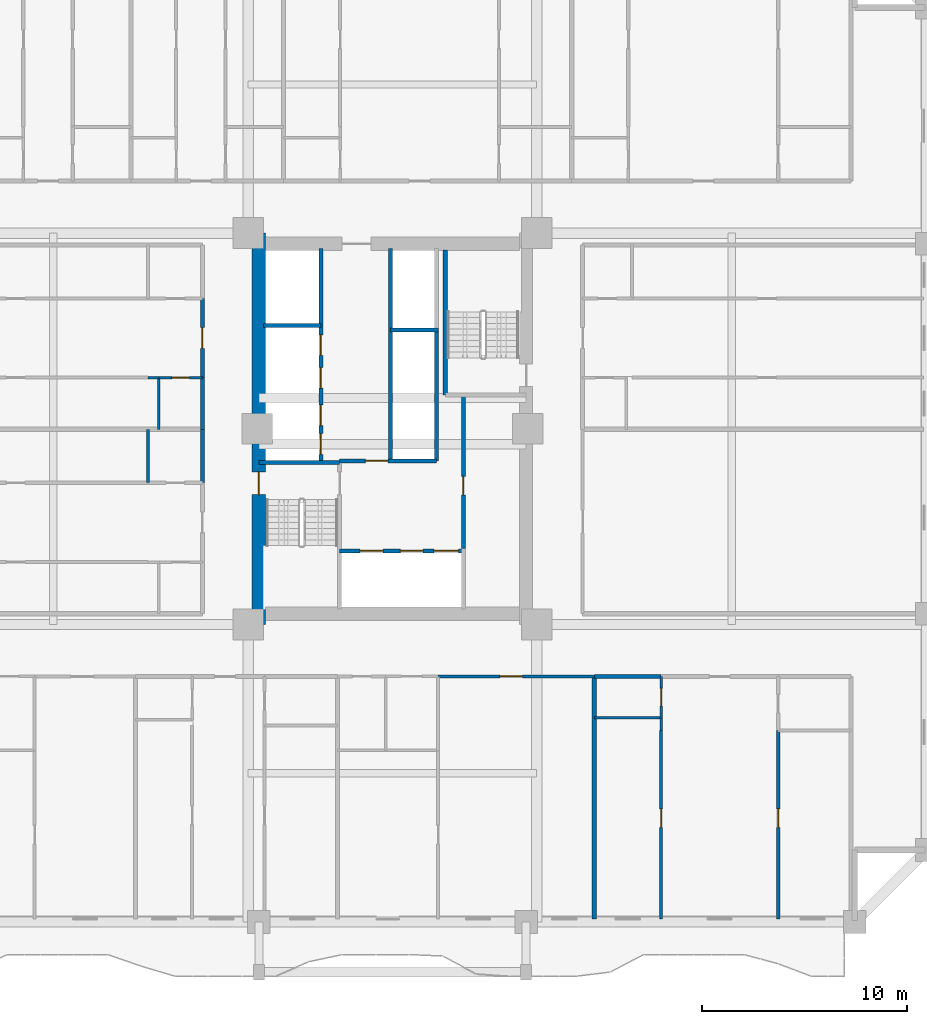
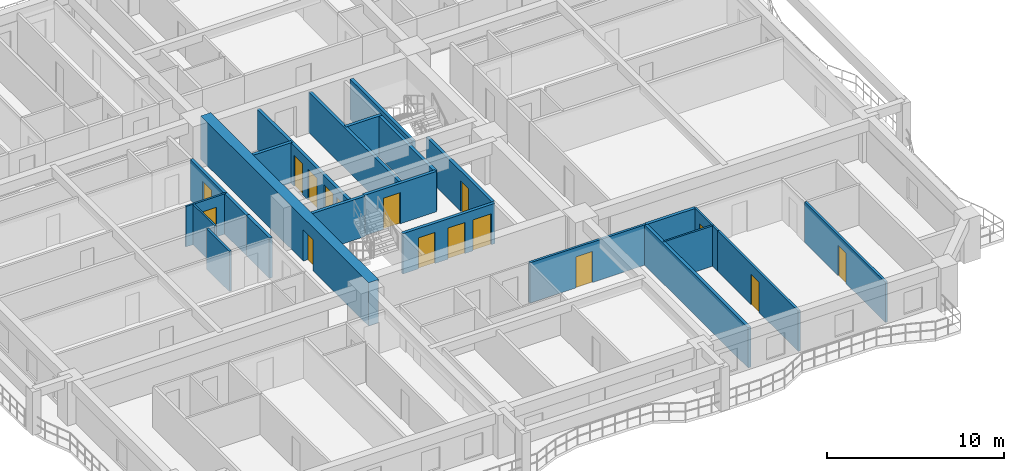
# One storey, part 4 of 15: 26 walls, 16 doors, 16 openings.
"""IFC4 building model written with IfcOpenShell, lengths in metres."""

from ifc_helpers import new_model, si_unit, direction, frame, frame_2d, origin, place, context, subcontext, project, spatial, rectangle, extrude, source, transform, mapped, material, layer, layer_set, type_object, element, fill, save


model = new_model("IFC4")

# Units and contexts
model_context = context("Model", 3, precision=1e-05, world=origin(), true_north=direction((0.0, 1.0)))
body_context = subcontext(model_context, "Body", "Model", "MODEL_VIEW")
ifc_project = project(units=[si_unit("LENGTHUNIT", "METRE"), si_unit("AREAUNIT", "SQUARE_METRE"), si_unit("VOLUMEUNIT", "CUBIC_METRE"), si_unit("PLANEANGLEUNIT", "RADIAN"), si_unit("MASSUNIT", "GRAM", prefix="KILO")], contexts=[model_context])

# Site, building, storey
site_placement = place(None, origin())
site = spatial("IfcSite", under=ifc_project, at=site_placement, CompositionType="ELEMENT")
building_placement = place(site_placement, origin())
building = spatial("IfcBuilding", under=site, at=building_placement, Name="Saelheon Loggia Tower", CompositionType="ELEMENT")
storey_placement = place(building_placement, frame((0.0, 0.0, 49.39990234375)))
storey = spatial("IfcBuildingStorey", under=building, at=storey_placement, Name="L15", CompositionType="ELEMENT", Elevation=49.39990234375)

# Wall, opening, door
ifc_material_1 = material(Name="Concrete C60/75", Category="concrete")
ifc_layer_1 = layer(ifc_material_1, 0.64990234375)
ifc_layer_set_1 = layer_set([ifc_layer_1], Name="Concrete C60/75")
wall_type_1 = type_object("IfcWallType", Name="Wall_CoreShear_650", PredefinedType="SHEAR", material=ifc_layer_set_1)
wall_1_placement = place(storey_placement, frame((31.5, 17.47998046875, 0.0), z_axis=(0.0, 0.0, 1.0), x_axis=(0.0, 1.0, 0.0)))
wall_1 = element("IfcWall", 1, at=wall_1_placement, inside=storey, type_object=wall_type_1, Name="L15 Core Shear Wall West", PredefinedType="SHEAR", context=body_context, shape_type="SweptSolid", body=[
    extrude(rectangle(XDim=19.0400390625, YDim=0.64990234375, at=frame_2d((9.52001953125, 0.0))), origin(), (0.0, 0.0, 1.0), 3.0),
])
opening_1_placement = place(wall_1_placement, frame((6.320068359375, 0.0, 0.0)))
opening_1 = element("IfcOpeningElement", 2, at=opening_1_placement, cuts=wall_1, Name="Opening D-FD2", PredefinedType="OPENING", context=body_context, shape_type="SweptSolid", body=[
    extrude(rectangle(XDim=1.10009765625, YDim=2.14990234375, at=frame_2d((0.550048828125, 1.074951171875))), frame((0.0, 0.3369140625, 0.0), z_axis=(0.0, -1.0, 0.0), x_axis=(1.0, 0.0, 0.0)), (0.0, 0.0, 1.0), 0.673828125),
])
ifc_material_2 = material(Name="Galvanised Steel Fire Door", Category="steel")
door_type_1 = type_object("IfcDoorType", Name="Door_Fire_FD60_1100", OperationType="NOTDEFINED", PredefinedType="DOOR", material=ifc_material_2)
shared_shape_1 = source(origin(), body_context, "Body", "SweptSolid", [
    extrude(rectangle(XDim=1.10009765625, YDim=2.14990234375, at=frame_2d((0.550048828125, 1.074951171875))), frame((0.0, 0.02490234375, 0.0), z_axis=(0.0, -1.0, 0.0), x_axis=(1.0, 0.0, 0.0)), (0.0, 0.0, 1.0), 0.050048828125),
])
door_1_placement = place(opening_1_placement, origin())
door_1 = element("IfcDoor", 3, at=door_1_placement, inside=storey, type_object=door_type_1, Name="L15 Stair ST1 Corridor Door", OperationType="SINGLE_SWING_LEFT", OverallHeight=2.14990234375, OverallWidth=1.10009765625, PredefinedType="DOOR", context=body_context, shape_type="MappedRepresentation", body=[
    mapped(shared_shape_1, transform((0.0, 0.0, 0.0), scale=1.0)),
])
fill(opening_1, door_1)

ifc_material_3 = material(Name="Lightweight Autoclaved Aerated Concrete Block and Acoustic Gypsum", Category="concrete")
ifc_layer_2 = layer(ifc_material_3, 0.14990234375)
ifc_layer_set_2 = layer_set([ifc_layer_2], Name="Lightweight Autoclaved Aerated Concrete Block and Acoustic Gypsum")
wall_type_2 = type_object("IfcWallType", Name="Wall_Part_150", PredefinedType="PARTITIONING", material=ifc_layer_set_2)
wall_2_placement = place(storey_placement, frame((40.2216796875, 14.949951171875, 0.0), z_axis=(0.0, 0.0, 1.0), x_axis=(1.0, 0.0, 0.0)))
wall_2 = element("IfcWall", 4, at=wall_2_placement, inside=storey, type_object=wall_type_2, Name="L15 S Partition V27", PredefinedType="PARTITIONING", context=body_context, shape_type="SweptSolid", body=[
    extrude(rectangle(XDim=7.59912109375, YDim=0.14990234375, at=frame_2d((3.799560546875, 0.0))), origin(), (0.0, 0.0, 1.0), 2.7900390625),
])
opening_2_placement = place(wall_2_placement, frame((3.00048828125, 0.0, 0.0)))
opening_2 = element("IfcOpeningElement", 5, at=opening_2_placement, cuts=wall_2, Name="Opening D-FD2", PredefinedType="OPENING", context=body_context, shape_type="SweptSolid", body=[
    extrude(rectangle(XDim=1.10009765625, YDim=2.14990234375, at=frame_2d((0.550048828125, 1.074951171875))), frame((0.0, 0.0869140625, 0.0), z_axis=(0.0, -1.0, 0.0), x_axis=(1.0, 0.0, 0.0)), (0.0, 0.0, 1.0), 0.173828125),
])
door_2_placement = place(opening_2_placement, origin())
door_2 = element("IfcDoor", 6, at=door_2_placement, inside=storey, type_object=door_type_1, Name="L15 Community Reading Library Door A", OperationType="SINGLE_SWING_LEFT", OverallHeight=2.14990234375, OverallWidth=1.10009765625, PredefinedType="DOOR", context=body_context, shape_type="MappedRepresentation", body=[
    mapped(shared_shape_1, transform((0.0, 0.0, 0.0), scale=1.0)),
])
fill(opening_2, door_2)

wall_3_placement = place(storey_placement, frame((51.070556640625, 12.31005859375, 0.0), z_axis=(0.0, 0.0, 1.0), x_axis=(0.0, -1.0, 0.0)))
wall_3 = element("IfcWall", 7, at=wall_3_placement, inside=storey, type_object=wall_type_2, Name="L15 S Partition U36", PredefinedType="PARTITIONING", context=body_context, shape_type="SweptSolid", body=[
    extrude(rectangle(XDim=9.16015625, YDim=0.14990234375, at=frame_2d((4.580078125, 0.0))), origin(), (0.0, 0.0, 1.0), 2.7900390625),
])
opening_3_placement = place(wall_3_placement, frame((3.805908203125, 0.0, 0.0)))
opening_3 = element("IfcOpeningElement", 8, at=opening_3_placement, cuts=wall_3, Name="Opening D-IN2", PredefinedType="OPENING", context=body_context, shape_type="SweptSolid", body=[
    extrude(rectangle(XDim=0.89990234375, YDim=2.10009765625, at=frame_2d((0.449951171875, 1.050048828125))), frame((0.0, 0.0869140625, 0.0), z_axis=(0.0, -1.0, 0.0), x_axis=(1.0, 0.0, 0.0)), (0.0, 0.0, 1.0), 0.173828125),
])
ifc_material_4 = material(Name="Engineered Oak Flush Door", Category="timber")
door_type_2 = type_object("IfcDoorType", Name="Door_Int_900", OperationType="NOTDEFINED", PredefinedType="DOOR", material=ifc_material_4)
shared_shape_2 = source(origin(), body_context, "Body", "SweptSolid", [
    extrude(rectangle(XDim=0.89990234375, YDim=2.10009765625, at=frame_2d((0.449951171875, 1.050048828125))), frame((0.0, 0.02490234375, 0.0), z_axis=(0.0, -1.0, 0.0), x_axis=(1.0, 0.0, 0.0)), (0.0, 0.0, 1.0), 0.050048828125),
])
door_3_placement = place(opening_3_placement, origin())
door_3 = element("IfcDoor", 9, at=door_3_placement, inside=storey, type_object=door_type_2, Name="Unit U02 Bedroom 2 Door", OperationType="SINGLE_SWING_RIGHT", OverallHeight=2.10009765625, OverallWidth=0.89990234375, PredefinedType="DOOR", context=body_context, shape_type="MappedRepresentation", body=[
    mapped(shared_shape_2, transform((0.0, 0.0, 0.0), scale=1.0)),
])
fill(opening_3, door_3)

wall_4_placement = place(storey_placement, frame((56.77197265625, 12.31005859375, 0.0), z_axis=(0.0, 0.0, 1.0), x_axis=(0.0, -1.0, 0.0)))
wall_4 = element("IfcWall", 10, at=wall_4_placement, inside=storey, type_object=wall_type_2, Name="L15 S Partition U38", PredefinedType="PARTITIONING", context=body_context, shape_type="SweptSolid", body=[
    extrude(rectangle(XDim=9.16015625, YDim=0.14990234375, at=frame_2d((4.580078125, 0.0))), origin(), (0.0, 0.0, 1.0), 2.7900390625),
])
opening_4_placement = place(wall_4_placement, frame((3.805908203125, 0.0, 0.0)))
opening_4 = element("IfcOpeningElement", 11, at=opening_4_placement, cuts=wall_4, Name="Opening D-IN2", PredefinedType="OPENING", context=body_context, shape_type="SweptSolid", body=[
    extrude(rectangle(XDim=0.89990234375, YDim=2.10009765625, at=frame_2d((0.449951171875, 1.050048828125))), frame((0.0, 0.0869140625, 0.0), z_axis=(0.0, -1.0, 0.0), x_axis=(1.0, 0.0, 0.0)), (0.0, 0.0, 1.0), 0.173828125),
])
door_4_placement = place(opening_4_placement, origin())
door_4 = element("IfcDoor", 12, at=door_4_placement, inside=storey, type_object=door_type_2, Name="Unit U02 Bedroom 1 Door", OperationType="SINGLE_SWING_RIGHT", OverallHeight=2.10009765625, OverallWidth=0.89990234375, PredefinedType="DOOR", context=body_context, shape_type="MappedRepresentation", body=[
    mapped(shared_shape_2, transform((0.0, 0.0, 0.0), scale=1.0)),
])
fill(opening_4, door_4)

# Walls
wall_5_placement = place(storey_placement, frame((26.110107421875, 24.375, 0.0), z_axis=(0.0, 0.0, 1.0), x_axis=(0.0, 1.0, 0.0)))
element("IfcWall", 13, at=wall_5_placement, inside=storey, type_object=wall_type_2, Name="L15 W Partition V07", PredefinedType="PARTITIONING", context=body_context, shape_type="SweptSolid", body=[
    extrude(rectangle(XDim=2.60009765625, YDim=0.14990234375, at=frame_2d((1.300048828125, 0.0))), origin(), (0.0, 0.0, 1.0), 2.7900390625),
])
ifc_material_5 = material(Name="Double Acoustic Stud and Fireboard Partition", Category="gypsum")
ifc_layer_3 = layer(ifc_material_5, 0.199951171875)
ifc_layer_set_3 = layer_set([ifc_layer_3], Name="Double Acoustic Stud and Fireboard Partition")
wall_type_3 = type_object("IfcWallType", Name="Wall_Party_200", PredefinedType="PARTITIONING", material=ifc_layer_set_3)
wall_6_placement = place(storey_placement, frame((47.82080078125, 14.949951171875, 0.0), z_axis=(0.0, 0.0, 1.0), x_axis=(0.0, -1.0, 0.0)))
element("IfcWall", 14, at=wall_6_placement, inside=storey, type_object=wall_type_3, Name="L15 S Partition U28", PredefinedType="PARTITIONING", context=body_context, shape_type="SweptSolid", body=[
    extrude(rectangle(XDim=11.800048828125, YDim=0.199951171875, at=frame_2d((5.89990234375, 0.0))), origin(), (0.0, 0.0, 1.0), 2.7900390625),
])
wall_7_placement = place(storey_placement, frame((47.82080078125, 14.949951171875, 0.0), z_axis=(0.0, 0.0, 1.0), x_axis=(1.0, 0.0, 0.0)))
element("IfcWall", 15, at=wall_7_placement, inside=storey, type_object=wall_type_3, Name="L15 S Partition V29", PredefinedType="PARTITIONING", context=body_context, shape_type="SweptSolid", body=[
    extrude(rectangle(XDim=3.249755859375, YDim=0.199951171875, at=frame_2d((1.625, 0.0))), origin(), (0.0, 0.0, 1.0), 2.7900390625),
])
wall_8_placement = place(storey_placement, frame((28.75, 24.375, 0.0), z_axis=(0.0, 0.0, 1.0), x_axis=(0.0, 1.0, 0.0)))
element("IfcWall", 16, at=wall_8_placement, inside=storey, type_object=wall_type_3, Name="L15 W Partition V05", PredefinedType="PARTITIONING", context=body_context, shape_type="SweptSolid", body=[
    extrude(rectangle(XDim=2.60009765625, YDim=0.199951171875, at=frame_2d((1.300048828125, 0.0))), origin(), (0.0, 0.0, 1.0), 2.7900390625),
])
wall_9_placement = place(storey_placement, frame((28.75, 26.97509765625, 0.0), z_axis=(0.0, 0.0, 1.0), x_axis=(0.0, 1.0, 0.0)))
element("IfcWall", 17, at=wall_9_placement, inside=storey, type_object=wall_type_3, Name="L15 W Partition V14", PredefinedType="PARTITIONING", context=body_context, shape_type="SweptSolid", body=[
    extrude(rectangle(XDim=2.512939453125, YDim=0.199951171875, at=frame_2d((1.25634765625, 0.0))), origin(), (0.0, 0.0, 1.0), 2.7900390625),
])

# Wall, opening, door
wall_10_placement = place(storey_placement, frame((28.75, 29.488037109375, 0.0), z_axis=(0.0, 0.0, 1.0), x_axis=(0.0, 1.0, 0.0)))
wall_10 = element("IfcWall", 18, at=wall_10_placement, inside=storey, type_object=wall_type_3, Name="L15 W Partition V15", PredefinedType="PARTITIONING", context=body_context, shape_type="SweptSolid", body=[
    extrude(rectangle(XDim=3.862060546875, YDim=0.199951171875, at=frame_2d((1.93115234375, 0.0))), origin(), (0.0, 0.0, 1.0), 2.7900390625),
])
opening_5_placement = place(wall_10_placement, frame((1.430908203125, 0.0, 0.0)))
opening_5 = element("IfcOpeningElement", 19, at=opening_5_placement, cuts=wall_10, Name="Opening D-FD1", PredefinedType="OPENING", context=body_context, shape_type="SweptSolid", body=[
    extrude(rectangle(XDim=1.0, YDim=2.14990234375, at=frame_2d((0.5, 1.074951171875))), frame((0.0, 0.112060546875, 0.0), z_axis=(0.0, -1.0, 0.0), x_axis=(1.0, 0.0, 0.0)), (0.0, 0.0, 1.0), 0.223876953125),
])
ifc_material_6 = material(Name="Fire-Rated Engineered Timber Entrance Door", Category="wood")
door_type_3 = type_object("IfcDoorType", Name="Door_Flat_FD30S", OperationType="NOTDEFINED", PredefinedType="DOOR", material=ifc_material_6)
shared_shape_3 = source(origin(), body_context, "Body", "SweptSolid", [
    extrude(rectangle(XDim=1.0, YDim=2.14990234375, at=frame_2d((0.5, 1.074951171875))), frame((0.0, 0.02490234375, 0.0), z_axis=(0.0, -1.0, 0.0), x_axis=(1.0, 0.0, 0.0)), (0.0, 0.0, 1.0), 0.050048828125),
])
door_5_placement = place(opening_5_placement, origin())
door_5 = element("IfcDoor", 20, at=door_5_placement, inside=storey, type_object=door_type_3, Name="Unit U08 Entrance Door", OperationType="SINGLE_SWING_LEFT", OverallHeight=2.14990234375, OverallWidth=1.0, PredefinedType="DOOR", context=body_context, shape_type="MappedRepresentation", body=[
    mapped(shared_shape_3, transform((0.0, 0.0, 0.0), scale=1.0)),
])
fill(opening_5, door_5)

ifc_material_7 = material(Name="Concrete C40/50", Category="concrete")
ifc_layer_4 = layer(ifc_material_7, 0.199951171875)
ifc_layer_set_4 = layer_set([ifc_layer_4], Name="Concrete C40/50")
wall_type_4 = type_object("IfcWallType", Name="Wall_Shaft_200", PredefinedType="PARTITIONING", material=ifc_layer_set_4)
wall_11_placement = place(storey_placement, frame((41.449951171875, 21.179931640625, 0.0), z_axis=(0.0, 0.0, 1.0), x_axis=(0.0, 1.0, 0.0)))
wall_11 = element("IfcWall", 21, at=wall_11_placement, inside=storey, type_object=wall_type_4, Name="CW-INT-L15-BOH-W1", PredefinedType="PARTITIONING", context=body_context, shape_type="SweptSolid", body=[
    extrude(rectangle(XDim=7.420166015625, YDim=0.199951171875, at=frame_2d((3.7099609375, 0.0))), origin(), (0.0, 0.0, 1.0), 2.7900390625),
])
opening_6_placement = place(wall_11_placement, frame((2.60009765625, 0.0, 0.0)))
opening_6 = element("IfcOpeningElement", 22, at=opening_6_placement, cuts=wall_11, Name="Opening D-RS1", PredefinedType="OPENING", context=body_context, shape_type="SweptSolid", body=[
    extrude(rectangle(XDim=0.89990234375, YDim=2.10009765625, at=frame_2d((0.449951171875, 1.050048828125))), frame((0.0, 0.112060546875, 0.0), z_axis=(0.0, -1.0, 0.0), x_axis=(1.0, 0.0, 0.0)), (0.0, 0.0, 1.0), 0.223876953125),
])
ifc_material_8 = material(Name="Galvanised Steel Riser Access Door", Category="steel")
door_type_4 = type_object("IfcDoorType", Name="Door_Riser_FD60", OperationType="NOTDEFINED", PredefinedType="DOOR", material=ifc_material_8)
door_6_placement = place(opening_6_placement, origin())
door_6 = element("IfcDoor", 23, at=door_6_placement, inside=storey, type_object=door_type_4, Name="L15 Core Service Store Door", OperationType="SINGLE_SWING_RIGHT", OverallHeight=2.10009765625, OverallWidth=0.89990234375, PredefinedType="DOOR", context=body_context, shape_type="MappedRepresentation", body=[
    mapped(shared_shape_2, transform((0.0, 0.0, 0.0), scale=1.0)),
])
fill(opening_6, door_6)

# Wall
wall_12_placement = place(storey_placement, frame((40.14990234375, 25.43994140625, 0.0), z_axis=(0.0, 0.0, 1.0), x_axis=(0.0, 1.0, 0.0)))
element("IfcWall", 24, at=wall_12_placement, inside=storey, type_object=wall_type_4, Name="L15 Core Service Passage West Wall", PredefinedType="PARTITIONING", context=body_context, shape_type="SweptSolid", body=[
    extrude(rectangle(XDim=6.360107421875, YDim=0.199951171875, at=frame_2d((3.18017578125, 0.0))), origin(), (0.0, 0.0, 1.0), 2.7900390625),
])

# Wall, openings, doors
wall_13_placement = place(storey_placement, frame((35.429931640625, 21.06005859375, 0.0), z_axis=(0.0, 0.0, 1.0), x_axis=(1.0, 0.0, 0.0)))
wall_13 = element("IfcWall", 25, at=wall_13_placement, inside=storey, type_object=wall_type_4, Name="L15 Firefighting Lift Shaft Front Wall", PredefinedType="PARTITIONING", context=body_context, shape_type="SweptSolid", body=[
    extrude(rectangle(XDim=6.02001953125, YDim=0.199951171875, at=frame_2d((3.010009765625, 0.0))), origin(), (0.0, 0.0, 1.0), 2.7900390625),
])
opening_7_placement = place(wall_13_placement, frame((1.0, 0.0, 0.0)))
opening_7 = element("IfcOpeningElement", 26, at=opening_7_placement, cuts=wall_13, Name="Opening LD2", PredefinedType="OPENING", context=body_context, shape_type="SweptSolid", body=[
    extrude(rectangle(XDim=1.10009765625, YDim=2.14990234375, at=frame_2d((0.550048828125, 1.074951171875))), frame((0.0, 0.112060546875, 0.0), z_axis=(0.0, -1.0, 0.0), x_axis=(1.0, 0.0, 0.0)), (0.0, 0.0, 1.0), 0.223876953125),
])
opening_8_placement = place(wall_13_placement, frame((2.949951171875, 0.0, 0.0)))
opening_8 = element("IfcOpeningElement", 27, at=opening_8_placement, cuts=wall_13, Name="Opening LD2", PredefinedType="OPENING", context=body_context, shape_type="SweptSolid", body=[
    extrude(rectangle(XDim=1.10009765625, YDim=2.14990234375, at=frame_2d((0.550048828125, 1.074951171875))), frame((0.0, 0.112060546875, 0.0), z_axis=(0.0, -1.0, 0.0), x_axis=(1.0, 0.0, 0.0)), (0.0, 0.0, 1.0), 0.223876953125),
])
opening_9_placement = place(wall_13_placement, frame((4.580078125, 0.0, 0.0)))
opening_9 = element("IfcOpeningElement", 28, at=opening_9_placement, cuts=wall_13, Name="Opening LD3", PredefinedType="OPENING", context=body_context, shape_type="SweptSolid", body=[
    extrude(rectangle(XDim=1.199951171875, YDim=2.14990234375, at=frame_2d((0.60009765625, 1.074951171875))), frame((0.0, 0.112060546875, 0.0), z_axis=(0.0, -1.0, 0.0), x_axis=(1.0, 0.0, 0.0)), (0.0, 0.0, 1.0), 0.223876953125),
])
ifc_material_9 = material(Name="Firefighting Stainless Steel 316 Landing Door", Category="steel")
door_type_5 = type_object("IfcDoorType", Name="Door_Lift_LD2", OperationType="DOUBLE_DOOR_SLIDING", PredefinedType="DOOR", material=ifc_material_9)
door_7_placement = place(opening_7_placement, origin())
door_7 = element("IfcDoor", 29, at=door_7_placement, inside=storey, type_object=door_type_5, Name="L15 FF1 Landing Door", OperationType="DOUBLE_DOOR_SLIDING", OverallHeight=2.14990234375, OverallWidth=1.10009765625, PredefinedType="DOOR", context=body_context, shape_type="MappedRepresentation", body=[
    mapped(shared_shape_1, transform((0.0, 0.0, 0.0), scale=1.0)),
])
fill(opening_7, door_7)
door_8_placement = place(opening_8_placement, origin())
door_8 = element("IfcDoor", 30, at=door_8_placement, inside=storey, type_object=door_type_5, Name="L15 FF2 Landing Door", OperationType="DOUBLE_DOOR_SLIDING", OverallHeight=2.14990234375, OverallWidth=1.10009765625, PredefinedType="DOOR", context=body_context, shape_type="MappedRepresentation", body=[
    mapped(shared_shape_1, transform((0.0, 0.0, 0.0), scale=1.0)),
])
fill(opening_8, door_8)
ifc_material_10 = material(Name="Stretcher Lift Stainless Steel 304 Landing Door", Category="steel")
door_type_6 = type_object("IfcDoorType", Name="Door_Lift_LD3", OperationType="DOUBLE_DOOR_SLIDING", PredefinedType="DOOR", material=ifc_material_10)
shared_shape_4 = source(origin(), body_context, "Body", "SweptSolid", [
    extrude(rectangle(XDim=1.199951171875, YDim=2.14990234375, at=frame_2d((0.60009765625, 1.074951171875))), frame((0.0, 0.02490234375, 0.0), z_axis=(0.0, -1.0, 0.0), x_axis=(1.0, 0.0, 0.0)), (0.0, 0.0, 1.0), 0.050048828125),
])
door_9_placement = place(opening_9_placement, origin())
door_9 = element("IfcDoor", 31, at=door_9_placement, inside=storey, type_object=door_type_6, Name="L15 SV1 Landing Door", OperationType="DOUBLE_DOOR_SLIDING", OverallHeight=2.14990234375, OverallWidth=1.199951171875, PredefinedType="DOOR", context=body_context, shape_type="MappedRepresentation", body=[
    mapped(shared_shape_4, transform((0.0, 0.0, 0.0), scale=1.0)),
])
fill(opening_9, door_9)

# Wall, opening, door
wall_14_placement = place(storey_placement, frame((35.429931640625, 25.43994140625, 0.0), z_axis=(0.0, 0.0, 1.0), x_axis=(1.0, 0.0, 0.0)))
wall_14 = element("IfcWall", 32, at=wall_14_placement, inside=storey, type_object=wall_type_4, Name="L15 Firefighting Lobby Compartment Wall", PredefinedType="PARTITIONING", context=body_context, shape_type="SweptSolid", body=[
    extrude(rectangle(XDim=4.719970703125, YDim=0.199951171875, at=frame_2d((2.35986328125, 0.0))), origin(), (0.0, 0.0, 1.0), 2.7900390625),
])
opening_10_placement = place(wall_14_placement, frame((1.25, 0.0, 0.0)))
opening_10 = element("IfcOpeningElement", 33, at=opening_10_placement, cuts=wall_14, Name="Opening D-FD2", PredefinedType="OPENING", context=body_context, shape_type="SweptSolid", body=[
    extrude(rectangle(XDim=1.10009765625, YDim=2.14990234375, at=frame_2d((0.550048828125, 1.074951171875))), frame((0.0, 0.112060546875, 0.0), z_axis=(0.0, -1.0, 0.0), x_axis=(1.0, 0.0, 0.0)), (0.0, 0.0, 1.0), 0.223876953125),
])
door_10_placement = place(opening_10_placement, origin())
door_10 = element("IfcDoor", 34, at=door_10_placement, inside=storey, type_object=door_type_1, Name="L15 Firefighting Lobby Door", OperationType="SINGLE_SWING_LEFT", OverallHeight=2.14990234375, OverallWidth=1.10009765625, PredefinedType="DOOR", context=body_context, shape_type="MappedRepresentation", body=[
    mapped(shared_shape_1, transform((0.0, 0.0, 0.0), scale=1.0)),
])
fill(opening_10, door_10)

# Wall, openings, doors
wall_15_placement = place(storey_placement, frame((34.52001953125, 25.43994140625, 0.0), z_axis=(0.0, 0.0, 1.0), x_axis=(0.0, 1.0, 0.0)))
wall_15 = element("IfcWall", 35, at=wall_15_placement, inside=storey, type_object=wall_type_4, Name="L15 West Passenger Lift Bank Wall", PredefinedType="PARTITIONING", context=body_context, shape_type="SweptSolid", body=[
    extrude(rectangle(XDim=10.340087890625, YDim=0.199951171875, at=frame_2d((5.169921875, 0.0))), origin(), (0.0, 0.0, 1.0), 2.7900390625),
])
opening_11_placement = place(wall_15_placement, frame((0.320068359375, 0.0, 0.0)))
opening_11 = element("IfcOpeningElement", 36, at=opening_11_placement, cuts=wall_15, Name="Opening LD1", PredefinedType="OPENING", context=body_context, shape_type="SweptSolid", body=[
    extrude(rectangle(XDim=1.0, YDim=2.14990234375, at=frame_2d((0.5, 1.074951171875))), frame((0.0, 0.112060546875, 0.0), z_axis=(0.0, -1.0, 0.0), x_axis=(1.0, 0.0, 0.0)), (0.0, 0.0, 1.0), 0.223876953125),
])
opening_12_placement = place(wall_15_placement, frame((1.7099609375, 0.0, 0.0)))
opening_12 = element("IfcOpeningElement", 37, at=opening_12_placement, cuts=wall_15, Name="Opening LD1", PredefinedType="OPENING", context=body_context, shape_type="SweptSolid", body=[
    extrude(rectangle(XDim=1.0, YDim=2.14990234375, at=frame_2d((0.5, 1.074951171875))), frame((0.0, 0.112060546875, 0.0), z_axis=(0.0, -1.0, 0.0), x_axis=(1.0, 0.0, 0.0)), (0.0, 0.0, 1.0), 0.223876953125),
])
opening_13_placement = place(wall_15_placement, frame((3.534912109375, 0.0, 0.0)))
opening_13 = element("IfcOpeningElement", 38, at=opening_13_placement, cuts=wall_15, Name="Opening LD1", PredefinedType="OPENING", context=body_context, shape_type="SweptSolid", body=[
    extrude(rectangle(XDim=1.0, YDim=2.14990234375, at=frame_2d((0.5, 1.074951171875))), frame((0.0, 0.112060546875, 0.0), z_axis=(0.0, -1.0, 0.0), x_axis=(1.0, 0.0, 0.0)), (0.0, 0.0, 1.0), 0.223876953125),
])
opening_14_placement = place(wall_15_placement, frame((5.135009765625, 0.0, 0.0)))
opening_14 = element("IfcOpeningElement", 39, at=opening_14_placement, cuts=wall_15, Name="Opening LD1", PredefinedType="OPENING", context=body_context, shape_type="SweptSolid", body=[
    extrude(rectangle(XDim=1.0, YDim=2.14990234375, at=frame_2d((0.5, 1.074951171875))), frame((0.0, 0.112060546875, 0.0), z_axis=(0.0, -1.0, 0.0), x_axis=(1.0, 0.0, 0.0)), (0.0, 0.0, 1.0), 0.223876953125),
])
ifc_material_11 = material(Name="Brushed Stainless Steel 304 Landing Door", Category="steel")
door_type_7 = type_object("IfcDoorType", Name="Door_Lift_LD1", OperationType="DOUBLE_DOOR_SLIDING", PredefinedType="DOOR", material=ifc_material_11)
door_11_placement = place(opening_11_placement, origin())
door_11 = element("IfcDoor", 40, at=door_11_placement, inside=storey, type_object=door_type_7, Name="L15 PL1 Landing Door", OperationType="DOUBLE_DOOR_SLIDING", OverallHeight=2.14990234375, OverallWidth=1.0, PredefinedType="DOOR", context=body_context, shape_type="MappedRepresentation", body=[
    mapped(shared_shape_3, transform((0.0, 0.0, 0.0), scale=1.0)),
])
fill(opening_11, door_11)
door_12_placement = place(opening_12_placement, origin())
door_12 = element("IfcDoor", 41, at=door_12_placement, inside=storey, type_object=door_type_7, Name="L15 PL2 Landing Door", OperationType="DOUBLE_DOOR_SLIDING", OverallHeight=2.14990234375, OverallWidth=1.0, PredefinedType="DOOR", context=body_context, shape_type="MappedRepresentation", body=[
    mapped(shared_shape_3, transform((0.0, 0.0, 0.0), scale=1.0)),
])
fill(opening_12, door_12)
door_13_placement = place(opening_13_placement, origin())
door_13 = element("IfcDoor", 42, at=door_13_placement, inside=storey, type_object=door_type_7, Name="L15 PL3 Landing Door", OperationType="DOUBLE_DOOR_SLIDING", OverallHeight=2.14990234375, OverallWidth=1.0, PredefinedType="DOOR", context=body_context, shape_type="MappedRepresentation", body=[
    mapped(shared_shape_3, transform((0.0, 0.0, 0.0), scale=1.0)),
])
fill(opening_13, door_13)
door_14_placement = place(opening_14_placement, origin())
door_14 = element("IfcDoor", 43, at=door_14_placement, inside=storey, type_object=door_type_7, Name="L15 PL4 Landing Door", OperationType="DOUBLE_DOOR_SLIDING", OverallHeight=2.14990234375, OverallWidth=1.0, PredefinedType="DOOR", context=body_context, shape_type="MappedRepresentation", body=[
    mapped(shared_shape_3, transform((0.0, 0.0, 0.0), scale=1.0)),
])
fill(opening_14, door_14)

# Walls
wall_16_placement = place(storey_placement, frame((31.719970703125, 32.02001953125, 0.0), z_axis=(0.0, 0.0, 1.0), x_axis=(1.0, 0.0, 0.0)))
element("IfcWall", 44, at=wall_16_placement, inside=storey, type_object=wall_type_4, Name="L15 West High-Rise Shaft Divider", PredefinedType="PARTITIONING", context=body_context, shape_type="SweptSolid", body=[
    extrude(rectangle(XDim=2.800048828125, YDim=0.199951171875, at=frame_2d((1.39990234375, 0.0))), origin(), (0.0, 0.0, 1.0), 2.7900390625),
])
wall_17_placement = place(storey_placement, frame((37.89990234375, 25.43994140625, 0.0), z_axis=(0.0, 0.0, 1.0), x_axis=(0.0, 1.0, 0.0)))
element("IfcWall", 45, at=wall_17_placement, inside=storey, type_object=wall_type_4, Name="L15 East Passenger Lift Bank Wall", PredefinedType="PARTITIONING", context=body_context, shape_type="SweptSolid", body=[
    extrude(rectangle(XDim=10.340087890625, YDim=0.199951171875, at=frame_2d((5.169921875, 0.0))), origin(), (0.0, 0.0, 1.0), 2.7900390625),
])
wall_18_placement = place(storey_placement, frame((37.89990234375, 31.800048828125, 0.0), z_axis=(0.0, 0.0, 1.0), x_axis=(1.0, 0.0, 0.0)))
element("IfcWall", 46, at=wall_18_placement, inside=storey, type_object=wall_type_4, Name="L15 East High-Rise Shaft Divider", PredefinedType="PARTITIONING", context=body_context, shape_type="SweptSolid", body=[
    extrude(rectangle(XDim=2.35009765625, YDim=0.199951171875, at=frame_2d((1.175048828125, 0.0))), origin(), (0.0, 0.0, 1.0), 2.7900390625),
])
ifc_material_12 = material(Name="Concrete C45/55", Category="concrete")
ifc_layer_5 = layer(ifc_material_12, 0.199951171875)
ifc_layer_set_5 = layer_set([ifc_layer_5], Name="Concrete C45/55")
wall_type_5 = type_object("IfcWallType", Name="Wall_StairShaft_RC200", PredefinedType="SOLIDWALL", material=ifc_layer_set_5)
wall_19_placement = place(storey_placement, frame((31.5, 25.35009765625, 0.0), z_axis=(0.0, 0.0, 1.0), x_axis=(1.0, 0.0, 0.0)))
element("IfcWall", 47, at=wall_19_placement, inside=storey, type_object=wall_type_5, Name="L15 Stair ST1 North Wall", PredefinedType="SOLIDWALL", context=body_context, shape_type="SweptSolid", body=[
    extrude(rectangle(XDim=3.929931640625, YDim=0.199951171875, at=frame_2d((1.96484375, 0.0))), origin(), (0.0, 0.0, 1.0), 2.7900390625),
])
wall_20_placement = place(storey_placement, frame((40.570068359375, 28.64990234375, 0.0), z_axis=(0.0, 0.0, 1.0), x_axis=(0.0, 1.0, 0.0)))
element("IfcWall", 48, at=wall_20_placement, inside=storey, type_object=wall_type_5, Name="L15 Stair ST2 Shaft Wall", PredefinedType="SOLIDWALL", context=body_context, shape_type="SweptSolid", body=[
    extrude(rectangle(XDim=7.050048828125, YDim=0.199951171875, at=frame_2d((3.52490234375, 0.0))), origin(), (0.0, 0.0, 1.0), 2.7900390625),
])
ifc_material_13 = material(Name="Moisture-Resistant Cement Board Partition", Category="gypsum")
ifc_layer_6 = layer(ifc_material_13, 0.1201171875)
ifc_layer_set_6 = layer_set([ifc_layer_6], Name="Moisture-Resistant Cement Board Partition")
wall_type_6 = type_object("IfcWallType", Name="Wall_WetPart_120", PredefinedType="PARTITIONING", material=ifc_layer_set_6)
wall_21_placement = place(storey_placement, frame((47.82080078125, 12.929931640625, 0.0), z_axis=(0.0, 0.0, 1.0), x_axis=(1.0, 0.0, 0.0)))
element("IfcWall", 49, at=wall_21_placement, inside=storey, type_object=wall_type_6, Name="L15 S Partition V32", PredefinedType="PARTITIONING", context=body_context, shape_type="SweptSolid", body=[
    extrude(rectangle(XDim=3.249755859375, YDim=0.1201171875, at=frame_2d((1.625, 0.0))), origin(), (0.0, 0.0, 1.0), 2.7900390625),
])

# Wall, opening, door
wall_22_placement = place(storey_placement, frame((51.070556640625, 14.949951171875, 0.0), z_axis=(0.0, 0.0, 1.0), x_axis=(0.0, -1.0, 0.0)))
wall_22 = element("IfcWall", 50, at=wall_22_placement, inside=storey, type_object=wall_type_6, Name="L15 S Partition U34", PredefinedType="PARTITIONING", context=body_context, shape_type="SweptSolid", body=[
    extrude(rectangle(XDim=2.02001953125, YDim=0.1201171875, at=frame_2d((1.010009765625, 0.0))), origin(), (0.0, 0.0, 1.0), 2.7900390625),
])
opening_15_placement = place(wall_22_placement, frame((0.5849609375, 0.0, 0.0)))
opening_15 = element("IfcOpeningElement", 51, at=opening_15_placement, cuts=wall_22, Name="Opening D-BT1", PredefinedType="OPENING", context=body_context, shape_type="SweptSolid", body=[
    extrude(rectangle(XDim=0.85009765625, YDim=2.050048828125, at=frame_2d((0.425048828125, 1.02490234375))), frame((0.0, 0.072021484375, 0.0), z_axis=(0.0, -1.0, 0.0), x_axis=(1.0, 0.0, 0.0)), (0.0, 0.0, 1.0), 0.14404296875),
])
ifc_material_14 = material(Name="Moisture-Resistant Laminate Timber Door", Category="wood")
door_type_8 = type_object("IfcDoorType", Name="Door_Bath_850", OperationType="NOTDEFINED", PredefinedType="DOOR", material=ifc_material_14)
shared_shape_5 = source(origin(), body_context, "Body", "SweptSolid", [
    extrude(rectangle(XDim=0.85009765625, YDim=2.050048828125, at=frame_2d((0.425048828125, 1.02490234375))), frame((0.0, 0.02490234375, 0.0), z_axis=(0.0, -1.0, 0.0), x_axis=(1.0, 0.0, 0.0)), (0.0, 0.0, 1.0), 0.050048828125),
])
door_15_placement = place(opening_15_placement, origin())
door_15 = element("IfcDoor", 52, at=door_15_placement, inside=storey, type_object=door_type_8, Name="Unit U02 Bathroom Door", OperationType="SINGLE_SWING_LEFT", OverallHeight=2.050048828125, OverallWidth=0.85009765625, PredefinedType="DOOR", context=body_context, shape_type="MappedRepresentation", body=[
    mapped(shared_shape_5, transform((0.0, 0.0, 0.0), scale=1.0)),
])
fill(opening_15, door_15)

# Walls
wall_23_placement = place(storey_placement, frame((51.070556640625, 12.929931640625, 0.0), z_axis=(0.0, 0.0, 1.0), x_axis=(0.0, -1.0, 0.0)))
element("IfcWall", 53, at=wall_23_placement, inside=storey, type_object=wall_type_6, Name="L15 S Partition U35", PredefinedType="PARTITIONING", context=body_context, shape_type="SweptSolid", body=[
    extrude(rectangle(XDim=0.619873046875, YDim=0.1201171875, at=frame_2d((0.31005859375, 0.0))), origin(), (0.0, 0.0, 1.0), 2.7900390625),
])
wall_24_placement = place(storey_placement, frame((26.6298828125, 26.97509765625, 0.0), z_axis=(0.0, 0.0, 1.0), x_axis=(0.0, 1.0, 0.0)))
element("IfcWall", 54, at=wall_24_placement, inside=storey, type_object=wall_type_6, Name="L15 W Partition V17", PredefinedType="PARTITIONING", context=body_context, shape_type="SweptSolid", body=[
    extrude(rectangle(XDim=2.512939453125, YDim=0.1201171875, at=frame_2d((1.25634765625, 0.0))), origin(), (0.0, 0.0, 1.0), 2.7900390625),
])

# Wall, opening, door
wall_25_placement = place(storey_placement, frame((28.75, 29.488037109375, 0.0), z_axis=(0.0, 0.0, 1.0), x_axis=(-1.0, 0.0, 0.0)))
wall_25 = element("IfcWall", 55, at=wall_25_placement, inside=storey, type_object=wall_type_6, Name="L15 W Partition U19", PredefinedType="PARTITIONING", context=body_context, shape_type="SweptSolid", body=[
    extrude(rectangle(XDim=2.1201171875, YDim=0.1201171875, at=frame_2d((1.06005859375, 0.0))), origin(), (0.0, 0.0, 1.0), 2.7900390625),
])
opening_16_placement = place(wall_25_placement, frame((0.635009765625, 0.0, 0.0)))
opening_16 = element("IfcOpeningElement", 56, at=opening_16_placement, cuts=wall_25, Name="Opening D-BT1", PredefinedType="OPENING", context=body_context, shape_type="SweptSolid", body=[
    extrude(rectangle(XDim=0.85009765625, YDim=2.050048828125, at=frame_2d((0.425048828125, 1.02490234375))), frame((0.0, 0.072021484375, 0.0), z_axis=(0.0, -1.0, 0.0), x_axis=(1.0, 0.0, 0.0)), (0.0, 0.0, 1.0), 0.14404296875),
])
door_16_placement = place(opening_16_placement, origin())
door_16 = element("IfcDoor", 57, at=door_16_placement, inside=storey, type_object=door_type_8, Name="Unit U08 Bathroom Door", OperationType="SINGLE_SWING_RIGHT", OverallHeight=2.050048828125, OverallWidth=0.85009765625, PredefinedType="DOOR", context=body_context, shape_type="MappedRepresentation", body=[
    mapped(shared_shape_5, transform((0.0, 0.0, 0.0), scale=1.0)),
])
fill(opening_16, door_16)

# Wall
wall_26_placement = place(storey_placement, frame((26.6298828125, 29.488037109375, 0.0), z_axis=(0.0, 0.0, 1.0), x_axis=(-1.0, 0.0, 0.0)))
element("IfcWall", 58, at=wall_26_placement, inside=storey, type_object=wall_type_6, Name="L15 W Partition U20", PredefinedType="PARTITIONING", context=body_context, shape_type="SweptSolid", body=[
    extrude(rectangle(XDim=0.519775390625, YDim=0.1201171875, at=frame_2d((0.259765625, 0.0))), origin(), (0.0, 0.0, 1.0), 2.7900390625),
])

save(model, "model.ifc")
